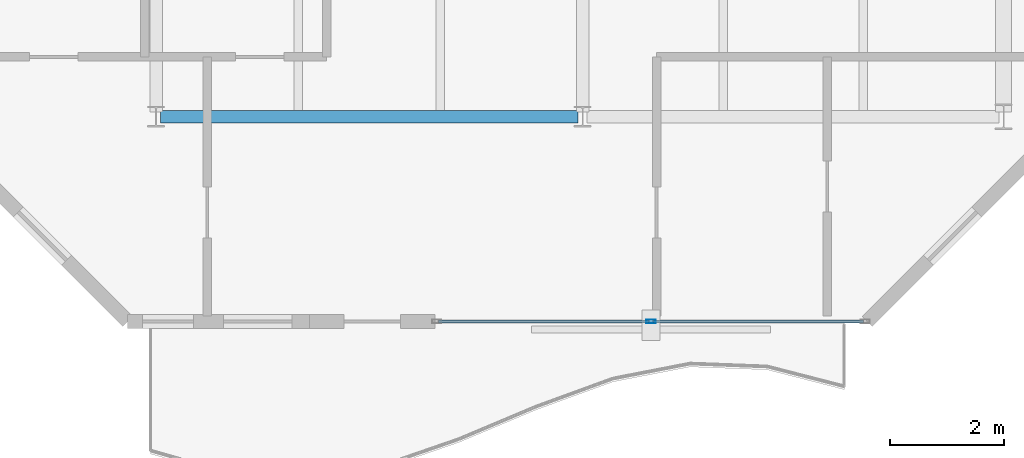
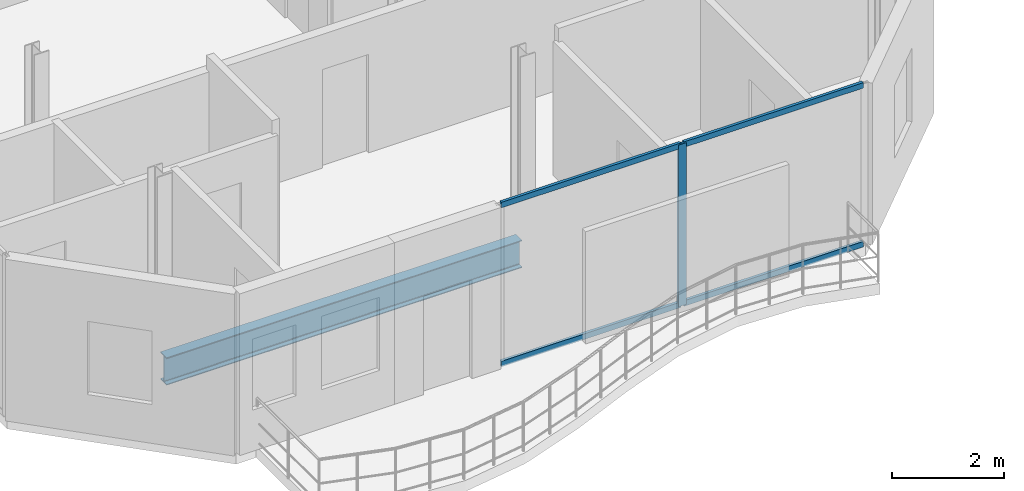
# One storey, part 4 of 22: 5 members, 1 beam, 1 element without a shape of its own.
"""IFC4 building model written with IfcOpenShell, lengths in metres."""

from ifc_helpers import new_model, si_unit, direction, frame, origin, origin_2d, place, context, subcontext, project, spatial, hollow_rectangle, i_section, extrude, material, layer, layer_set, material_profile, profile_set, type_object, element, aggregate, save


model = new_model("IFC4")

# Units and contexts
model_context = context("Model", 3, precision=1e-05, world=origin(), true_north=direction((0.0, 1.0)))
body_context = subcontext(model_context, "Body", "Model", "MODEL_VIEW")
ifc_project = project(units=[si_unit("LENGTHUNIT", "METRE"), si_unit("AREAUNIT", "SQUARE_METRE"), si_unit("VOLUMEUNIT", "CUBIC_METRE"), si_unit("PLANEANGLEUNIT", "RADIAN"), si_unit("MASSUNIT", "GRAM", prefix="KILO")], contexts=[model_context])

# Site, building, storey
site_placement = place(None, origin())
site = spatial("IfcSite", under=ifc_project, at=site_placement, CompositionType="ELEMENT")
building_placement = place(site_placement, origin())
building = spatial("IfcBuilding", under=site, at=building_placement, Name="Catumbela Crestline Tower", CompositionType="ELEMENT")
storey_placement = place(building_placement, frame((0.0, 0.0, 229.8)))
storey = spatial("IfcBuildingStorey", under=building, at=storey_placement, Name="L59", CompositionType="ELEMENT", Elevation=229.8)

# Beam
ifc_material_1 = material(Name="Structural steel S355J2", Category="steel")
ifc_material_profile_1 = material_profile(ifc_material_1, i_section(OverallWidth=0.22, OverallDepth=0.6, WebThickness=0.012, FlangeThickness=0.019, FilletRadius=0.024, at=origin_2d()), Name="IPE 600")
ifc_profile_set_1 = profile_set([ifc_material_profile_1], Name="Structural steel S355J2")
beam_type = type_object("IfcBeamType", Name="BG-IPE600", PredefinedType="BEAM", material=ifc_profile_set_1)
beam_placement = place(storey_placement, frame((8.58, 13.6, -0.56), z_axis=(1.0, 0.0, 0.0), x_axis=(0.0, 1.0, 0.0)))
element("IfcBeam", 1, at=beam_placement, inside=storey, type_object=beam_type, Name="L59 Beam BM-L59-WEW27", PredefinedType="BEAM", context=body_context, shape_type="SweptSolid", body=[
    extrude(i_section(OverallWidth=0.22, OverallDepth=0.6, WebThickness=0.012, FlangeThickness=0.019, FilletRadius=0.024, at=origin_2d()), origin(), (0.0, 0.0, 1.0), 7.34),
])

# Curtain wall, members
ifc_material_2 = material(Name="Aluminium alloy AW-6060-T66", Category="aluminium")
ifc_layer = layer(ifc_material_2, 0.18, Name="Aluminium alloy AW-6060-T66")
ifc_layer_set = layer_set([ifc_layer], Name="Aluminium alloy AW-6060-T66")
curtain_wall_type = type_object("IfcCurtainWallType", Name="CWU-Z4", PredefinedType="USERDEFINED", material=ifc_layer_set)
curtain_wall_placement = place(storey_placement, origin())
curtain_wall = element("IfcCurtainWall", 2, at=curtain_wall_placement, inside=storey, type_object=curtain_wall_type, Name="L59 Unitised Curtain Wall CW-L59-E0S2", ObjectType="UNITISED", PredefinedType="USERDEFINED")
ifc_material_profile_2 = material_profile(ifc_material_2, hollow_rectangle(XDim=0.06, YDim=0.16, WallThickness=0.004, at=origin_2d()), Name="ALU 160x60x4")
ifc_profile_set_2 = profile_set([ifc_material_profile_2], Name="Aluminium alloy AW-6060-T66")
member_type_1 = type_object("IfcMemberType", Name="MUL-160X60", PredefinedType="MULLION", material=ifc_profile_set_2)
member_1_placement = place(storey_placement, frame((17.2, 10.0, 0.0), z_axis=(0.0, 0.0, 1.0), x_axis=(0.0, 1.0, 0.0)))
member_1 = element("IfcMember", 3, at=member_1_placement, type_object=member_type_1, Name="CWU-Z4 mullion 2", PredefinedType="MULLION", context=body_context, shape_type="SweptSolid", body=[
    extrude(hollow_rectangle(XDim=0.06, YDim=0.16, WallThickness=0.004, at=origin_2d()), origin(), (0.0, 0.0, 1.0), 3.53),
])
ifc_material_profile_3 = material_profile(ifc_material_2, hollow_rectangle(XDim=0.06, YDim=0.12, WallThickness=0.0035, at=origin_2d()), Name="ALU 120x60x3.5")
ifc_profile_set_3 = profile_set([ifc_material_profile_3], Name="Aluminium alloy AW-6060-T66")
member_type_2 = type_object("IfcMemberType", Name="TRN-120X60", PredefinedType="USERDEFINED", material=ifc_profile_set_3)
member_2_placement = place(storey_placement, frame((13.465, 10.0, 0.03), z_axis=(1.0, 0.0, 0.0), x_axis=(0.0, 1.0, 0.0)))
member_2 = element("IfcMember", 4, at=member_2_placement, type_object=member_type_2, Name="CWU-Z4 transom 1.1", ObjectType="TRANSOM", PredefinedType="USERDEFINED", context=body_context, shape_type="SweptSolid", body=[
    extrude(hollow_rectangle(XDim=0.06, YDim=0.12, WallThickness=0.0035, at=origin_2d()), origin(), (0.0, 0.0, 1.0), 3.7025),
])
member_3_placement = place(storey_placement, frame((13.465, 10.0, 3.5), z_axis=(1.0, 0.0, 0.0), x_axis=(0.0, 1.0, 0.0)))
member_3 = element("IfcMember", 5, at=member_3_placement, type_object=member_type_2, Name="CWU-Z4 transom 1.2", ObjectType="TRANSOM", PredefinedType="USERDEFINED", context=body_context, shape_type="SweptSolid", body=[
    extrude(hollow_rectangle(XDim=0.06, YDim=0.12, WallThickness=0.0035, at=origin_2d()), origin(), (0.0, 0.0, 1.0), 3.7025),
])
member_4_placement = place(storey_placement, frame((17.2325, 10.0, 0.03), z_axis=(1.0, 0.0, 0.0), x_axis=(0.0, 1.0, 0.0)))
member_4 = element("IfcMember", 6, at=member_4_placement, type_object=member_type_2, Name="CWU-Z4 transom 2.1", ObjectType="TRANSOM", PredefinedType="USERDEFINED", context=body_context, shape_type="SweptSolid", body=[
    extrude(hollow_rectangle(XDim=0.06, YDim=0.12, WallThickness=0.0035, at=origin_2d()), origin(), (0.0, 0.0, 1.0), 3.7025),
])
member_5_placement = place(storey_placement, frame((17.2325, 10.0, 3.5), z_axis=(1.0, 0.0, 0.0), x_axis=(0.0, 1.0, 0.0)))
member_5 = element("IfcMember", 7, at=member_5_placement, type_object=member_type_2, Name="CWU-Z4 transom 2.2", ObjectType="TRANSOM", PredefinedType="USERDEFINED", context=body_context, shape_type="SweptSolid", body=[
    extrude(hollow_rectangle(XDim=0.06, YDim=0.12, WallThickness=0.0035, at=origin_2d()), origin(), (0.0, 0.0, 1.0), 3.7025),
])
aggregate(curtain_wall, [member_1, member_2, member_3, member_4, member_5])

save(model, "model.ifc")
